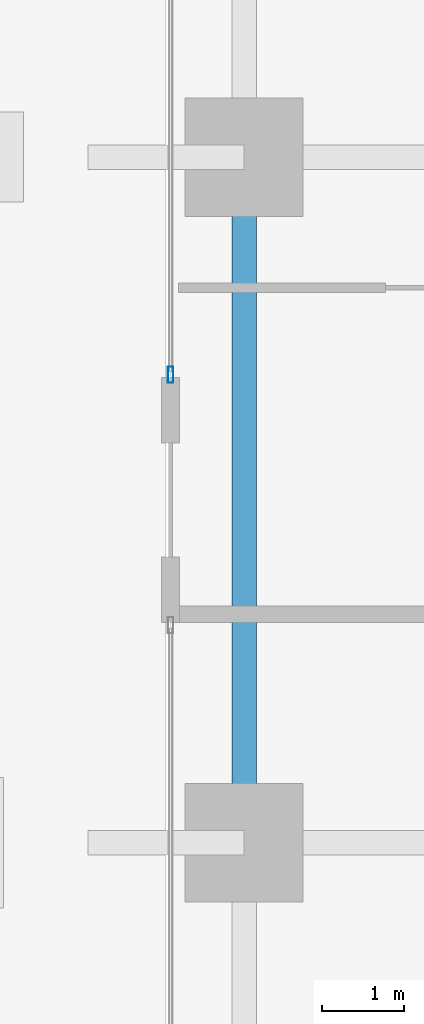
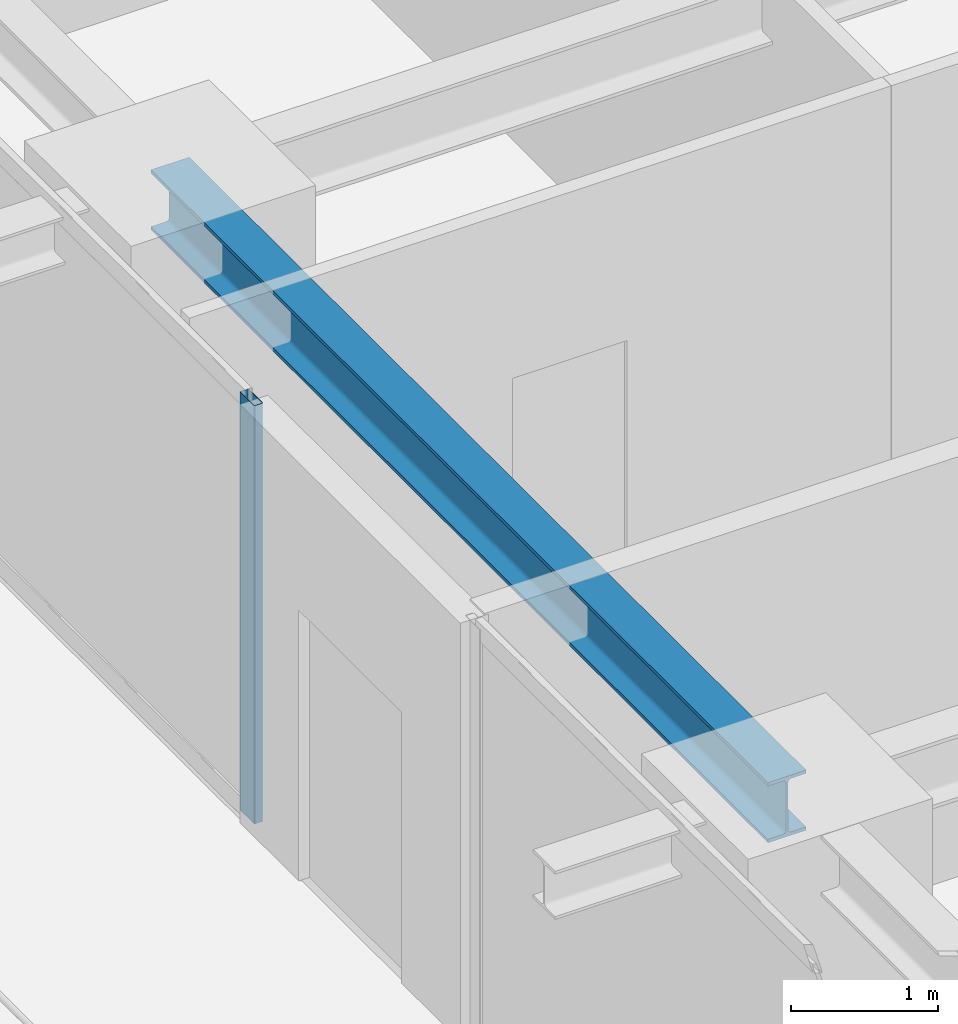
# One storey, part 9 of 41: 1 beam, 1 member, 1 element without a shape of its own.
"""IFC4 building model written with IfcOpenShell, lengths in metres."""

import ifcopenshell
import ifcopenshell.guid

model = None  # the IFC model being written
_history = None  # IfcOwnerHistory: only IFC2X3 demands one
_inside = {}  # id of a spatial element -> (the spatial element, [elements in it])
_under = {}  # id of a project, library or spatial element -> (it, [spatial elements below it])
_declared = {}  # id of a project -> (the project, [libraries it declares])
_typed = {}  # id of a type object -> (the type object, [elements of that type])
_made_of = {}  # id of a material, layer set ... -> (it, [elements and type objects made of it])


def new_model(schema):
    """Start an empty IFC model of exactly this schema.

    Asked for "IFC4X3", IfcOpenShell would pick the latest addendum, in which some entities
    have other attributes; the version numbers below select the first issue.
    IFC2X3 requires an IfcOwnerHistory on every rooted entity: one is made here for all.
    """
    global model, _history
    if schema == "IFC4X3":
        model = ifcopenshell.file(schema_version=(4, 3, 0, 0))
    else:
        model = ifcopenshell.file(schema=schema)
    _inside.clear()
    _under.clear()
    _declared.clear()
    _typed.clear()
    _made_of.clear()
    _history = None
    if model.schema == "IFC2X3":
        org = make("IfcOrganization", Name="unknown")
        user = make(
            "IfcPersonAndOrganization",
            ThePerson=make("IfcPerson", FamilyName="unknown"),
            TheOrganization=org,
        )
        app = make(
            "IfcApplication",
            ApplicationDeveloper=org,
            Version="unknown",
            ApplicationFullName="unknown",
            ApplicationIdentifier="unknown",
        )
        _history = make(
            "IfcOwnerHistory",
            OwningUser=user,
            OwningApplication=app,
            ChangeAction="ADDED",
            CreationDate=0,
        )
    return model


def make(cls, **values):
    """One entity of the class cls with the attributes given. An attribute that is None is left unset."""
    return model.create_entity(
        cls, **{name: value for name, value in values.items() if value is not None}
    )


def rooted(cls, **values):
    """An entity with a GlobalId (a new one), such as an element, a storey or a relation."""
    return make(cls, GlobalId=ifcopenshell.guid.new(), OwnerHistory=_history, **values)


def si_unit(unit_type, name, prefix=None):
    """IfcSIUnit, for example si_unit("LENGTHUNIT", "METRE", prefix="MILLI")."""
    return make("IfcSIUnit", UnitType=unit_type, Prefix=prefix, Name=name)


def assignment(units):
    """IfcUnitAssignment: the units of a project."""
    return None if units is None else make("IfcUnitAssignment", Units=units)


def point(xyz):
    """IfcCartesianPoint."""
    return None if xyz is None else make("IfcCartesianPoint", Coordinates=xyz)


def direction(xyz):
    """IfcDirection."""
    return None if xyz is None else make("IfcDirection", DirectionRatios=xyz)


def frame(location, z_axis=None, x_axis=None):
    """IfcAxis2Placement3D, a coordinate frame: its origin and axes. An axis left out is left unset."""
    return make(
        "IfcAxis2Placement3D",
        Location=point(location),
        Axis=direction(z_axis),
        RefDirection=direction(x_axis),
    )


def frame_2d(location, x_axis=None):
    """IfcAxis2Placement2D, a coordinate frame in the plane: its origin and x axis."""
    return make(
        "IfcAxis2Placement2D", Location=point(location), RefDirection=direction(x_axis)
    )


def origin():
    """The frame at (0, 0, 0) with its axes left unset."""
    return frame((0.0, 0.0, 0.0))


def origin_2d():
    """The frame at (0, 0) in the plane with its x axis left unset."""
    return frame_2d((0.0, 0.0))


def place(relative_to, where):
    """IfcLocalPlacement: puts the frame where relative to a parent placement (None: the world)."""
    return make(
        "IfcLocalPlacement", PlacementRelTo=relative_to, RelativePlacement=where
    )


def context(
    kind, dimensions, precision=None, world=None, true_north=None, identifier=None
):
    """IfcGeometricRepresentationContext, for example the 3D "Model" context."""
    return make(
        "IfcGeometricRepresentationContext",
        ContextIdentifier=identifier,
        ContextType=kind,
        CoordinateSpaceDimension=dimensions,
        Precision=precision,
        WorldCoordinateSystem=world,
        TrueNorth=true_north,
    )


def subcontext(parent, identifier, kind, view, scale=None):
    """IfcGeometricRepresentationSubContext, for example "Body" below "Model"."""
    return make(
        "IfcGeometricRepresentationSubContext",
        ContextIdentifier=identifier,
        ContextType=kind,
        ParentContext=parent,
        TargetScale=scale,
        TargetView=view,
    )


def project(units=None, contexts=None):
    """IfcProject with its units and contexts."""
    return rooted(
        "IfcProject",
        Name="project",
        RepresentationContexts=contexts,
        UnitsInContext=assignment(units),
    )


def spatial(cls, under=None, at=None, **own):
    """A site, building, storey or space (cls), placed at a placement, below another one or the project."""
    s = rooted(cls, ObjectPlacement=at, **own)
    if under is not None:
        _under.setdefault(under.id(), (under, []))[1].append(s)
    return s


def profile(cls, at=None, kind="AREA", **sizes):
    """A parametric profile (cls). Its sizes go by their IFC names, for example OverallWidth=200.0."""
    return make(cls, ProfileType=kind, Position=at, **sizes)


def hollow_rectangle(**sizes):
    """IfcRectangleHollowProfileDef."""
    return profile("IfcRectangleHollowProfileDef", **sizes)


def i_section(**sizes):
    """IfcIShapeProfileDef."""
    return profile("IfcIShapeProfileDef", **sizes)


def extrude(swept, where, along, depth):
    """IfcExtrudedAreaSolid: the profile swept, set in the frame where, extruded along a direction by depth."""
    return make(
        "IfcExtrudedAreaSolid",
        SweptArea=swept,
        Position=where,
        ExtrudedDirection=direction(along),
        Depth=depth,
    )


def shape(context_of_items, identifier, shape_type, items):
    """IfcShapeRepresentation: the items that make up one representation, for example the "Body"."""
    return make(
        "IfcShapeRepresentation",
        ContextOfItems=context_of_items,
        RepresentationIdentifier=identifier,
        RepresentationType=shape_type,
        Items=items,
    )


def source(mapping_origin, context_of_items, identifier, shape_type, items):
    """IfcRepresentationMap: a shape defined once, which mapped items show again and again."""
    return make(
        "IfcRepresentationMap",
        MappingOrigin=mapping_origin,
        MappedRepresentation=shape(context_of_items, identifier, shape_type, items),
    )


def transform(
    local_origin,
    x_axis=None,
    y_axis=None,
    z_axis=None,
    scale=None,
    scale2=None,
    scale3=None,
    uniform=True,
):
    """IfcCartesianTransformationOperator3D, or its non-uniform kind. x_axis, y_axis, z_axis: its Axis1, 2, 3."""
    if uniform:
        return make(
            "IfcCartesianTransformationOperator3D",
            Axis1=direction(x_axis),
            Axis2=direction(y_axis),
            LocalOrigin=point(local_origin),
            Scale=scale,
            Axis3=direction(z_axis),
        )
    return make(
        "IfcCartesianTransformationOperator3DnonUniform",
        Axis1=direction(x_axis),
        Axis2=direction(y_axis),
        LocalOrigin=point(local_origin),
        Scale=scale,
        Axis3=direction(z_axis),
        Scale2=scale2,
        Scale3=scale3,
    )


def mapped(mapping_source, mapping_target):
    """IfcMappedItem: shows the shape of a source again, moved by a transform."""
    return make(
        "IfcMappedItem", MappingSource=mapping_source, MappingTarget=mapping_target
    )


def material(Name=None, Category=None):
    """IfcMaterial."""
    return make("IfcMaterial", Name=Name, Category=Category)


def layer(
    of_material, thickness, ventilated=None, Name=None, Category=None, Priority=None
):
    """IfcMaterialLayer: one layer of a wall or slab, of a material (None: an air gap)."""
    return make(
        "IfcMaterialLayer",
        Material=of_material,
        LayerThickness=thickness,
        IsVentilated=ventilated,
        Name=Name,
        Category=Category,
        Priority=Priority,
    )


def layer_set(layers, Name=None):
    """IfcMaterialLayerSet."""
    return make("IfcMaterialLayerSet", MaterialLayers=layers, LayerSetName=Name)


def material_profile(
    of_material, cross_section, Name=None, Category=None, Priority=None
):
    """IfcMaterialProfile: a cross section and its material."""
    return make(
        "IfcMaterialProfile",
        Name=Name,
        Material=of_material,
        Profile=cross_section,
        Priority=Priority,
        Category=Category,
    )


def profile_set(profiles, Name=None, composite=None):
    """IfcMaterialProfileSet."""
    return make(
        "IfcMaterialProfileSet",
        Name=Name,
        MaterialProfiles=profiles,
        CompositeProfile=composite,
    )


def made_of(thing, what):
    """Note that an element or type object is made of a material, layer set ...; save() writes the relation."""
    if what is not None:
        _made_of.setdefault(what.id(), (what, []))[1].append(thing)
    return thing


def type_object(cls, material=None, **own):
    """A type object (cls), such as IfcWallType, which elements share."""
    return made_of(rooted(cls, **own), material)


def element(
    cls,
    number,
    at=None,
    inside=None,
    cuts=None,
    type_object=None,
    material=None,
    context=None,
    identifier="Body",
    shape_type=None,
    held_by="IfcProductDefinitionShape",
    body=None,
    shapes=None,
    **own,
):
    """One element of the class cls, such as IfcWall. Its Tag is "e" and its number.

    at: its placement. inside: the storey or other place that contains it. cuts: it is an
    opening in that element (IfcRelVoidsElement). A single representation is given by context,
    identifier, shape_type and body (its items); several are given by shapes. held_by: the class
    of the entity that holds the representations. save() writes the other relations.
    """
    e = rooted(cls, Tag="e%d" % number, ObjectPlacement=at, **own)
    if body is not None:
        shapes = [shape(context, identifier, shape_type, body)]
    if shapes is not None:
        e.Representation = make(held_by, Representations=shapes)
    if inside is not None:
        _inside.setdefault(inside.id(), (inside, []))[1].append(e)
    if cuts is not None:
        rooted(
            "IfcRelVoidsElement", RelatingBuildingElement=cuts, RelatedOpeningElement=e
        )
    if type_object is not None:
        _typed.setdefault(type_object.id(), (type_object, []))[1].append(e)
    return made_of(e, material)


def aggregate(whole, parts):
    """IfcRelAggregates: a whole, such as a stair, and the parts it consists of."""
    return rooted("IfcRelAggregates", RelatingObject=whole, RelatedObjects=parts)


def save(model, path):
    """Write the relations noted so far, then the file.

    IfcRelAggregates (storeys below a building ...), IfcRelContainedInSpatialStructure (elements
    in a storey), IfcRelDefinesByType, IfcRelAssociatesMaterial and IfcRelDeclares: one each for
    every whole, place, type object, material and project.
    """
    for whole, parts in _under.values():
        aggregate(whole, parts)
    for where, things in _inside.values():
        rooted(
            "IfcRelContainedInSpatialStructure",
            RelatedElements=things,
            RelatingStructure=where,
        )
    for kind, things in _typed.values():
        rooted("IfcRelDefinesByType", RelatedObjects=things, RelatingType=kind)
    for what, things in _made_of.values():
        rooted("IfcRelAssociatesMaterial", RelatedObjects=things, RelatingMaterial=what)
    for by, libraries in _declared.values():
        rooted("IfcRelDeclares", RelatingContext=by, RelatedDefinitions=libraries)
    model.write(path)


model = new_model("IFC4")

# Units and contexts
model_context = context("Model", 3, precision=1e-05, world=origin(), true_north=direction((0.0, 1.0)))
body_context = subcontext(model_context, "Body", "Model", "MODEL_VIEW")
ifc_project = project(units=[si_unit("LENGTHUNIT", "METRE"), si_unit("AREAUNIT", "SQUARE_METRE"), si_unit("VOLUMEUNIT", "CUBIC_METRE"), si_unit("PLANEANGLEUNIT", "RADIAN"), si_unit("MASSUNIT", "GRAM", prefix="KILO")], contexts=[model_context])

# Site, building, storey
site_placement = place(None, origin())
site = spatial("IfcSite", under=ifc_project, at=site_placement, CompositionType="ELEMENT")
building_placement = place(site_placement, origin())
building = spatial("IfcBuilding", under=site, at=building_placement, Name="Serunith Strait Residences", CompositionType="ELEMENT")
storey_placement = place(building_placement, frame((0.0, 0.0, 45.449951171875)))
storey = spatial("IfcBuildingStorey", under=building, at=storey_placement, Name="L10", CompositionType="ELEMENT", Elevation=45.449951171875)

# Beam
ifc_material_1 = material(Name="Steel S355J2", Category="steel")
ifc_material_profile_1 = material_profile(ifc_material_1, i_section(OverallWidth=0.300048828125, OverallDepth=0.5, WebThickness=0.014404296875, FlangeThickness=0.028076171875, FilletRadius=0.027099609375, at=origin_2d()), Name="HEB 500")
ifc_profile_set_1 = profile_set([ifc_material_profile_1], Name="Steel S355J2")
beam_type = type_object("IfcBeamType", Name="BM-HEB500", PredefinedType="BEAM", material=ifc_profile_set_1)
shared_shape_1 = source(origin(), body_context, "Body", "SweptSolid", [
    extrude(i_section(OverallWidth=0.300048828125, OverallDepth=0.5, WebThickness=0.014404296875, FlangeThickness=0.028076171875, FilletRadius=0.027099609375, at=origin_2d()), origin(), (0.0, 0.0, 1.0), 8.39990234375),
])
beam_placement = place(storey_placement, frame((6.89990234375, 29.39990234375, 3.237060546875), z_axis=(0.0, -1.0, 0.0), x_axis=(1.0, 0.0, 0.0)))
element("IfcBeam", 1, at=beam_placement, inside=storey, type_object=beam_type, Name="L10 Perimeter Ring Beam 14", PredefinedType="BEAM", context=body_context, shape_type="MappedRepresentation", body=[
    mapped(shared_shape_1, transform((0.0, 0.0, 0.0), scale=1.0)),
])

# Curtain wall, member
ifc_material_2 = material(Name="Pale-Champagne Anodised Aluminium", Category="aluminium")
ifc_layer = layer(ifc_material_2, 0.199951171875, Name="Pale-Champagne Anodised Aluminium")
ifc_layer_set = layer_set([ifc_layer], Name="Pale-Champagne Anodised Aluminium")
curtain_wall_type = type_object("IfcCurtainWallType", Name="CW-SYS1", PredefinedType="NOTDEFINED", material=ifc_layer_set)
curtain_wall_placement = place(storey_placement, origin())
curtain_wall = element("IfcCurtainWall", 2, at=curtain_wall_placement, inside=storey, type_object=curtain_wall_type, Name="L10 W Unitised Fritted Curtain Wall", PredefinedType="NOTDEFINED")
ifc_material_profile_2 = material_profile(ifc_material_2, hollow_rectangle(XDim=0.070068359375, YDim=0.199951171875, WallThickness=0.00390625, InnerFilletRadius=0.006103515625, OuterFilletRadius=0.010009765625, at=origin_2d()), Name="ALU 200x70x4")
ifc_profile_set_2 = profile_set([ifc_material_profile_2], Name="Pale-Champagne Anodised Aluminium")
member_type = type_object("IfcMemberType", Name="CW-SYS1-MULL", PredefinedType="MULLION", material=ifc_profile_set_2)
shared_shape_2 = source(origin(), body_context, "Body", "SweptSolid", [
    extrude(hollow_rectangle(XDim=0.070068359375, YDim=0.199951171875, WallThickness=0.00390625, InnerFilletRadius=0.006103515625, OuterFilletRadius=0.010009765625, at=origin_2d()), origin(), (0.0, 0.0, 1.0), 3.47509765625),
])
member_placement = place(storey_placement, frame((6.0, 26.735107421875, 0.0), z_axis=(0.0, 0.0, 1.0), x_axis=(1.0, 0.0, 0.0)))
member = element("IfcMember", 3, at=member_placement, type_object=member_type, Name="CW-1 mullion 3", PredefinedType="MULLION", context=body_context, shape_type="MappedRepresentation", body=[
    mapped(shared_shape_2, transform((0.0, 0.0, 0.0), scale=1.0)),
])
aggregate(curtain_wall, [member])

save(model, "model.ifc")
